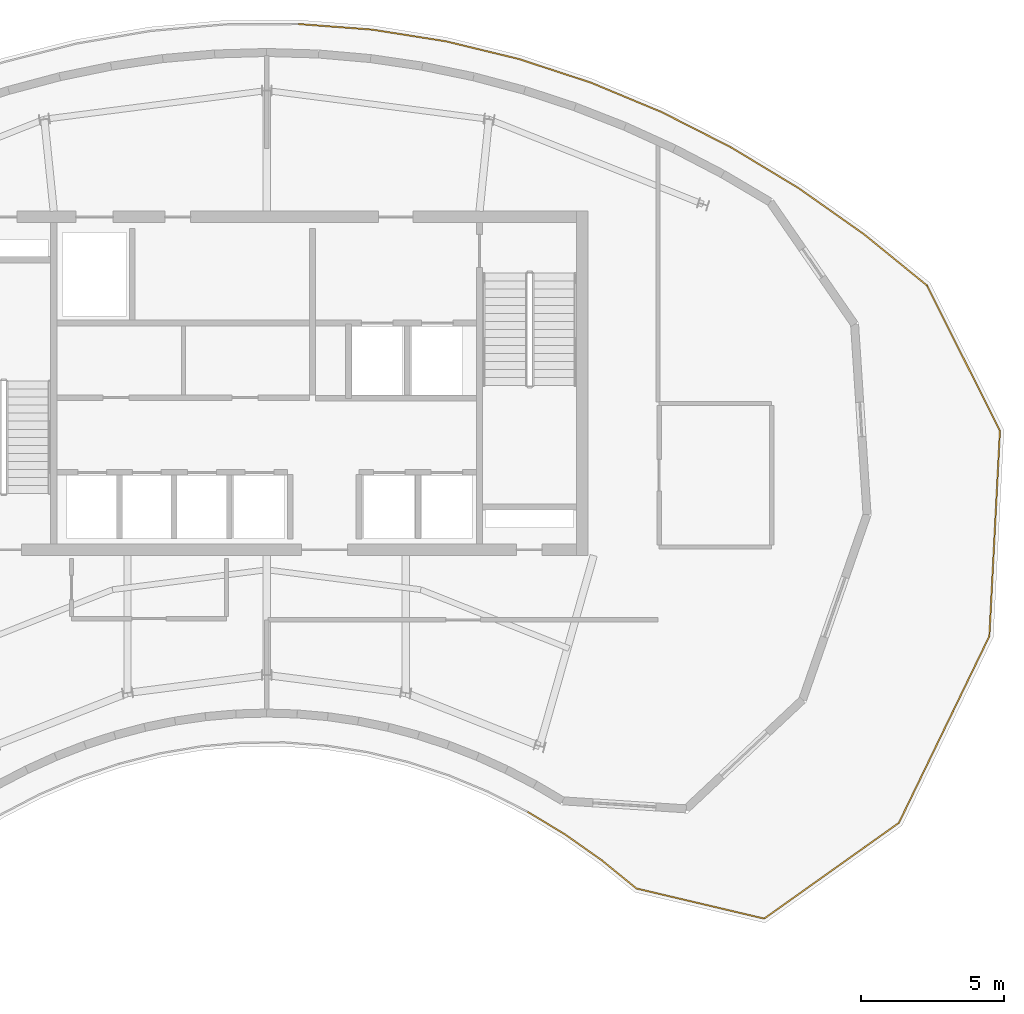
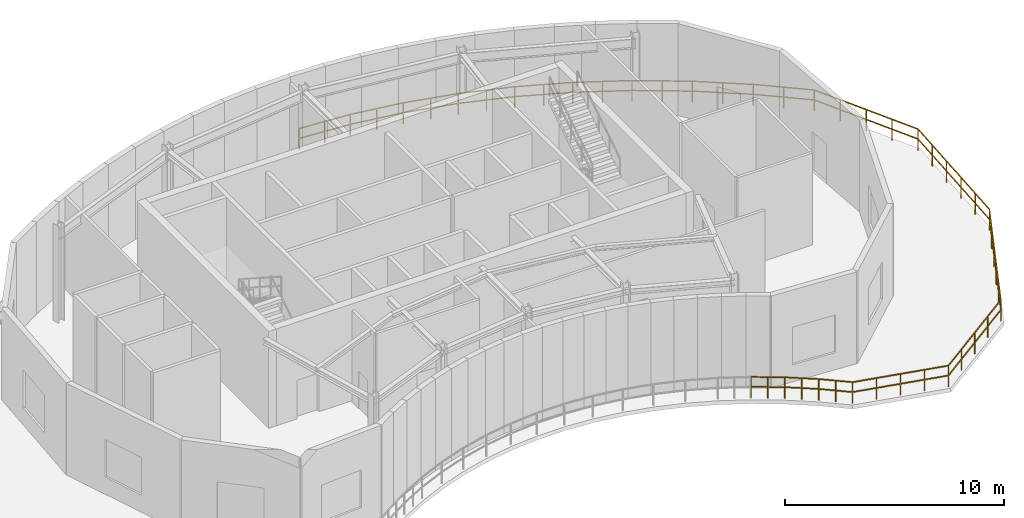
# One storey, part 8 of 8: 2 railings.
"""IFC4 building model written with IfcOpenShell, lengths in metres."""

from ifc_helpers import new_model, si_unit, direction, frame, origin, origin_2d, place, context, subcontext, project, spatial, rectangle, extrude, material, type_object, element, save


model = new_model("IFC4")

# Units and contexts
model_context = context("Model", 3, precision=1e-05, world=origin(), true_north=direction((0.0, 1.0)))
body_context = subcontext(model_context, "Body", "Model", "MODEL_VIEW")
ifc_project = project(units=[si_unit("LENGTHUNIT", "METRE"), si_unit("AREAUNIT", "SQUARE_METRE"), si_unit("VOLUMEUNIT", "CUBIC_METRE"), si_unit("PLANEANGLEUNIT", "RADIAN"), si_unit("MASSUNIT", "GRAM", prefix="KILO")], contexts=[model_context])

# Site, building, storey
site_placement = place(None, origin())
site = spatial("IfcSite", under=ifc_project, at=site_placement, CompositionType="ELEMENT")
building_placement = place(site_placement, origin())
building = spatial("IfcBuilding", under=site, at=building_placement, Name="Breltana Convention Tower", CompositionType="ELEMENT")
storey_placement = place(building_placement, frame((0.0, 0.0, 312.60009765625)))
storey = spatial("IfcBuildingStorey", under=building, at=storey_placement, Name="L76", CompositionType="ELEMENT", Elevation=312.60009765625)

# Railings
ifc_material = material(Name="Stainless Steel 316L", Category="steel")
railing_type = type_object("IfcRailingType", Name="RL-LOOKOUT-1200", PredefinedType="BALUSTRADE", material=ifc_material)
railing_1_placement = place(storey_placement, frame((71.00830078125, 69.616455078125, 0.0)))
element("IfcRailing", 1, at=railing_1_placement, inside=storey, type_object=railing_type, Name="L76 perimeter balustrade 1", PredefinedType="BALUSTRADE", context=body_context, shape_type="SweptSolid", body=[
    extrude(rectangle(XDim=0.048095703125, YDim=0.048095703125, at=origin_2d()), frame((0.0, 0.0, 1.17578125), z_axis=(0.449278247629, -0.893391882775, 0.0), x_axis=(0.893391882775, 0.449278247629, 0.0)), (0.0, 0.0, 1.0), 5.672607421875),
    extrude(rectangle(XDim=0.048095703125, YDim=0.048095703125, at=origin_2d()), frame((0.0, 0.0, 0.6240234375), z_axis=(0.449278247629, -0.893391882775, 0.0), x_axis=(0.893391882775, 0.449278247629, 0.0)), (0.0, 0.0, 1.0), 5.672607421875),
    extrude(rectangle(XDim=0.048095703125, YDim=0.048095703125, at=origin_2d()), frame((2.548583984375, -5.06787109375, 1.17578125), z_axis=(-0.051452488921, -0.998675443467, 0.0), x_axis=(0.998675443467, -0.051452488921, 0.0)), (0.0, 0.0, 1.0), 7.169677734375),
    extrude(rectangle(XDim=0.048095703125, YDim=0.048095703125, at=origin_2d()), frame((2.548583984375, -5.06787109375, 0.6240234375), z_axis=(-0.051452488921, -0.998675443467, 0.0), x_axis=(0.998675443467, -0.051452488921, 0.0)), (0.0, 0.0, 1.0), 7.169677734375),
    extrude(rectangle(XDim=0.048095703125, YDim=0.048095703125, at=origin_2d()), frame((2.1796875, -12.22802734375, 1.17578125), z_axis=(-0.43610281696, -0.899896845777, 0.0), x_axis=(0.899896845777, -0.43610281696, 0.0)), (0.0, 0.0, 1.0), 7.2294921875),
    extrude(rectangle(XDim=0.048095703125, YDim=0.048095703125, at=origin_2d()), frame((2.1796875, -12.22802734375, 0.6240234375), z_axis=(-0.43610281696, -0.899896845777, 0.0), x_axis=(0.899896845777, -0.43610281696, 0.0)), (0.0, 0.0, 1.0), 7.2294921875),
    extrude(rectangle(XDim=0.048095703125, YDim=0.048095703125, at=origin_2d()), frame((-0.97314453125, -18.73388671875, 1.17578125), z_axis=(-0.815031843045, -0.579416167208, 0.0), x_axis=(0.579416167208, -0.815031843045, 0.0)), (0.0, 0.0, 1.0), 5.759033203125),
    extrude(rectangle(XDim=0.048095703125, YDim=0.048095703125, at=origin_2d()), frame((-0.97314453125, -18.73388671875, 0.6240234375), z_axis=(-0.815031843045, -0.579416167208, 0.0), x_axis=(0.579416167208, -0.815031843045, 0.0)), (0.0, 0.0, 1.0), 5.759033203125),
    extrude(rectangle(XDim=0.048095703125, YDim=0.048095703125, at=origin_2d()), frame((-5.6669921875, -22.07080078125, 1.17578125), z_axis=(-0.973338002286, 0.229375529002, 0.0), x_axis=(-0.229375529002, -0.973338002286, 0.0)), (0.0, 0.0, 1.0), 4.573486328125),
    extrude(rectangle(XDim=0.048095703125, YDim=0.048095703125, at=origin_2d()), frame((-5.6669921875, -22.07080078125, 0.6240234375), z_axis=(-0.973338002286, 0.229375529002, 0.0), x_axis=(-0.229375529002, -0.973338002286, 0.0)), (0.0, 0.0, 1.0), 4.573486328125),
    extrude(rectangle(XDim=0.048095703125, YDim=0.048095703125, at=origin_2d()), frame((-10.11865234375, -21.021728515625, 1.17578125), z_axis=(-0.775859062465, 0.630906264979, 0.0), x_axis=(-0.630906264979, -0.775859062465, 0.0)), (0.0, 0.0, 1.0), 1.552978515625),
    extrude(rectangle(XDim=0.048095703125, YDim=0.048095703125, at=origin_2d()), frame((-10.11865234375, -21.021728515625, 0.6240234375), z_axis=(-0.775859062465, 0.630906264979, 0.0), x_axis=(-0.630906264979, -0.775859062465, 0.0)), (0.0, 0.0, 1.0), 1.552978515625),
    extrude(rectangle(XDim=0.048095703125, YDim=0.048095703125, at=origin_2d()), frame((-11.323486328125, -20.0419921875, 1.17578125), z_axis=(-0.803098028234, 0.595846924173, 0.0), x_axis=(-0.595846924173, -0.803098028234, 0.0)), (0.0, 0.0, 1.0), 0.009521484375),
    extrude(rectangle(XDim=0.048095703125, YDim=0.048095703125, at=origin_2d()), frame((-11.323486328125, -20.0419921875, 0.6240234375), z_axis=(-0.803098028234, 0.595846924173, 0.0), x_axis=(-0.595846924173, -0.803098028234, 0.0)), (0.0, 0.0, 1.0), 0.009521484375),
    extrude(rectangle(XDim=0.048095703125, YDim=0.048095703125, at=origin_2d()), frame((-11.3310546875, -20.036376953125, 1.17578125), z_axis=(-0.817297883171, 0.57621538522, 0.0), x_axis=(-0.57621538522, -0.817297883171, 0.0)), (0.0, 0.0, 1.0), 1.5576171875),
    extrude(rectangle(XDim=0.048095703125, YDim=0.048095703125, at=origin_2d()), frame((-11.3310546875, -20.036376953125, 0.6240234375), z_axis=(-0.817297883171, 0.57621538522, 0.0), x_axis=(-0.57621538522, -0.817297883171, 0.0)), (0.0, 0.0, 1.0), 1.5576171875),
    extrude(rectangle(XDim=0.048095703125, YDim=0.048095703125, at=origin_2d()), frame((-12.60400390625, -19.138916015625, 1.17578125), z_axis=(-0.828283413128, 0.560309367704, 0.0), x_axis=(-0.560309367704, -0.828283413128, 0.0)), (0.0, 0.0, 1.0), 0.010009765625),
    extrude(rectangle(XDim=0.048095703125, YDim=0.048095703125, at=origin_2d()), frame((-12.60400390625, -19.138916015625, 0.6240234375), z_axis=(-0.828283413128, 0.560309367704, 0.0), x_axis=(-0.560309367704, -0.828283413128, 0.0)), (0.0, 0.0, 1.0), 0.010009765625),
    extrude(rectangle(XDim=0.048095703125, YDim=0.048095703125, at=origin_2d()), frame((-12.6123046875, -19.13330078125, 1.17578125), z_axis=(-0.856055130717, 0.516884525957, 0.0), x_axis=(-0.516884525957, -0.856055130717, 0.0)), (0.0, 0.0, 1.0), 1.53173828125),
    extrude(rectangle(XDim=0.048095703125, YDim=0.048095703125, at=origin_2d()), frame((-12.6123046875, -19.13330078125, 0.6240234375), z_axis=(-0.856055130717, 0.516884525957, 0.0), x_axis=(-0.516884525957, -0.856055130717, 0.0)), (0.0, 0.0, 1.0), 1.53173828125),
    extrude(rectangle(XDim=0.0419921875, YDim=0.0419921875, at=origin_2d()), origin(), (0.0, 0.0, 1.0), 1.15185546875),
    extrude(rectangle(XDim=0.0419921875, YDim=0.0419921875, at=origin_2d()), frame((0.63720703125, -1.26708984375, 0.0)), (0.0, 0.0, 1.0), 1.15185546875),
    extrude(rectangle(XDim=0.0419921875, YDim=0.0419921875, at=origin_2d()), frame((1.2744140625, -2.533935546875, 0.0)), (0.0, 0.0, 1.0), 1.15185546875),
    extrude(rectangle(XDim=0.0419921875, YDim=0.0419921875, at=origin_2d()), frame((1.911376953125, -3.80078125, 0.0)), (0.0, 0.0, 1.0), 1.15185546875),
    extrude(rectangle(XDim=0.0419921875, YDim=0.0419921875, at=origin_2d()), frame((2.548583984375, -5.06787109375, 0.0)), (0.0, 0.0, 1.0), 1.15185546875),
    extrude(rectangle(XDim=0.0419921875, YDim=0.0419921875, at=origin_2d()), frame((2.474853515625, -6.5, 0.0)), (0.0, 0.0, 1.0), 1.15185546875),
    extrude(rectangle(XDim=0.0419921875, YDim=0.0419921875, at=origin_2d()), frame((2.401123046875, -7.931884765625, 0.0)), (0.0, 0.0, 1.0), 1.15185546875),
    extrude(rectangle(XDim=0.0419921875, YDim=0.0419921875, at=origin_2d()), frame((2.3271484375, -9.364013671875, 0.0)), (0.0, 0.0, 1.0), 1.15185546875),
    extrude(rectangle(XDim=0.0419921875, YDim=0.0419921875, at=origin_2d()), frame((2.25341796875, -10.7958984375, 0.0)), (0.0, 0.0, 1.0), 1.15185546875),
    extrude(rectangle(XDim=0.0419921875, YDim=0.0419921875, at=origin_2d()), frame((2.1796875, -12.22802734375, 0.0)), (0.0, 0.0, 1.0), 1.15185546875),
    extrude(rectangle(XDim=0.0419921875, YDim=0.0419921875, at=origin_2d()), frame((1.549072265625, -13.529296875, 0.0)), (0.0, 0.0, 1.0), 1.15185546875),
    extrude(rectangle(XDim=0.0419921875, YDim=0.0419921875, at=origin_2d()), frame((0.91845703125, -14.830322265625, 0.0)), (0.0, 0.0, 1.0), 1.15185546875),
    extrude(rectangle(XDim=0.0419921875, YDim=0.0419921875, at=origin_2d()), frame((0.2880859375, -16.131591796875, 0.0)), (0.0, 0.0, 1.0), 1.15185546875),
    extrude(rectangle(XDim=0.0419921875, YDim=0.0419921875, at=origin_2d()), frame((-0.342529296875, -17.4326171875, 0.0)), (0.0, 0.0, 1.0), 1.15185546875),
    extrude(rectangle(XDim=0.0419921875, YDim=0.0419921875, at=origin_2d()), frame((-0.97314453125, -18.73388671875, 0.0)), (0.0, 0.0, 1.0), 1.15185546875),
    extrude(rectangle(XDim=0.0419921875, YDim=0.0419921875, at=origin_2d()), frame((-2.146484375, -19.568115234375, 0.0)), (0.0, 0.0, 1.0), 1.15185546875),
    extrude(rectangle(XDim=0.0419921875, YDim=0.0419921875, at=origin_2d()), frame((-3.320068359375, -20.40234375, 0.0)), (0.0, 0.0, 1.0), 1.15185546875),
    extrude(rectangle(XDim=0.0419921875, YDim=0.0419921875, at=origin_2d()), frame((-4.49365234375, -21.236572265625, 0.0)), (0.0, 0.0, 1.0), 1.15185546875),
    extrude(rectangle(XDim=0.0419921875, YDim=0.0419921875, at=origin_2d()), frame((-5.6669921875, -22.07080078125, 0.0)), (0.0, 0.0, 1.0), 1.15185546875),
    extrude(rectangle(XDim=0.0419921875, YDim=0.0419921875, at=origin_2d()), frame((-6.77978515625, -21.80859375, 0.0)), (0.0, 0.0, 1.0), 1.15185546875),
    extrude(rectangle(XDim=0.0419921875, YDim=0.0419921875, at=origin_2d()), frame((-7.892822265625, -21.54638671875, 0.0)), (0.0, 0.0, 1.0), 1.15185546875),
    extrude(rectangle(XDim=0.0419921875, YDim=0.0419921875, at=origin_2d()), frame((-9.005859375, -21.283935546875, 0.0)), (0.0, 0.0, 1.0), 1.15185546875),
    extrude(rectangle(XDim=0.0419921875, YDim=0.0419921875, at=origin_2d()), frame((-10.11865234375, -21.021728515625, 0.0)), (0.0, 0.0, 1.0), 1.15185546875),
    extrude(rectangle(XDim=0.0419921875, YDim=0.0419921875, at=origin_2d()), frame((-10.72119140625, -20.53173828125, 0.0)), (0.0, 0.0, 1.0), 1.15185546875),
    extrude(rectangle(XDim=0.0419921875, YDim=0.0419921875, at=origin_2d()), frame((-11.323486328125, -20.0419921875, 0.0)), (0.0, 0.0, 1.0), 1.15185546875),
    extrude(rectangle(XDim=0.0419921875, YDim=0.0419921875, at=origin_2d()), frame((-11.3310546875, -20.036376953125, 0.0)), (0.0, 0.0, 1.0), 1.15185546875),
    extrude(rectangle(XDim=0.0419921875, YDim=0.0419921875, at=origin_2d()), frame((-11.967529296875, -19.587646484375, 0.0)), (0.0, 0.0, 1.0), 1.15185546875),
    extrude(rectangle(XDim=0.0419921875, YDim=0.0419921875, at=origin_2d()), frame((-12.60400390625, -19.138916015625, 0.0)), (0.0, 0.0, 1.0), 1.15185546875),
    extrude(rectangle(XDim=0.0419921875, YDim=0.0419921875, at=origin_2d()), frame((-12.6123046875, -19.13330078125, 0.0)), (0.0, 0.0, 1.0), 1.15185546875),
    extrude(rectangle(XDim=0.0419921875, YDim=0.0419921875, at=origin_2d()), frame((-13.26806640625, -18.7373046875, 0.0)), (0.0, 0.0, 1.0), 1.15185546875),
    extrude(rectangle(XDim=0.0419921875, YDim=0.0419921875, at=origin_2d()), frame((-13.923583984375, -18.341552734375, 0.0)), (0.0, 0.0, 1.0), 1.15185546875),
])
railing_2_placement = place(storey_placement, frame((49.106201171875, 78.723388671875, 0.0)))
element("IfcRailing", 2, at=railing_2_placement, inside=storey, type_object=railing_type, Name="L76 perimeter balustrade 7", PredefinedType="BALUSTRADE", context=body_context, shape_type="SweptSolid", body=[
    extrude(rectangle(XDim=0.048095703125, YDim=0.048095703125, at=origin_2d()), frame((0.0, 0.0, 1.17578125), z_axis=(0.997119681374, -0.075844189082, 0.0), x_axis=(0.075844189082, 0.997119681374, 0.0)), (0.0, 0.0, 1.0), 2.584716796875),
    extrude(rectangle(XDim=0.048095703125, YDim=0.048095703125, at=origin_2d()), frame((0.0, 0.0, 0.6240234375), z_axis=(0.997119681374, -0.075844189082, 0.0), x_axis=(0.075844189082, 0.997119681374, 0.0)), (0.0, 0.0, 1.0), 2.584716796875),
    extrude(rectangle(XDim=0.048095703125, YDim=0.048095703125, at=origin_2d()), frame((2.577392578125, -0.196044921875, 1.17578125), z_axis=(0.987659789415, -0.15661462375, 0.0), x_axis=(0.15661462375, 0.987659789415, 0.0)), (0.0, 0.0, 1.0), 2.595458984375),
    extrude(rectangle(XDim=0.048095703125, YDim=0.048095703125, at=origin_2d()), frame((2.577392578125, -0.196044921875, 0.6240234375), z_axis=(0.987659789415, -0.15661462375, 0.0), x_axis=(0.15661462375, 0.987659789415, 0.0)), (0.0, 0.0, 1.0), 2.595458984375),
    extrude(rectangle(XDim=0.048095703125, YDim=0.048095703125, at=origin_2d()), frame((5.140869140625, -0.6025390625, 1.17578125), z_axis=(0.971864360156, -0.235541218173, 0.0), x_axis=(0.235541218173, 0.971864360156, 0.0)), (0.0, 0.0, 1.0), 2.614013671875),
    extrude(rectangle(XDim=0.048095703125, YDim=0.048095703125, at=origin_2d()), frame((5.140869140625, -0.6025390625, 0.6240234375), z_axis=(0.971864360156, -0.235541218173, 0.0), x_axis=(0.235541218173, 0.971864360156, 0.0)), (0.0, 0.0, 1.0), 2.614013671875),
    extrude(rectangle(XDim=0.048095703125, YDim=0.048095703125, at=origin_2d()), frame((7.681396484375, -1.21826171875, 1.17578125), z_axis=(0.9502259493, -0.311561623563, 0.0), x_axis=(0.311561623563, 0.9502259493, 0.0)), (0.0, 0.0, 1.0), 2.63916015625),
    extrude(rectangle(XDim=0.048095703125, YDim=0.048095703125, at=origin_2d()), frame((7.681396484375, -1.21826171875, 0.6240234375), z_axis=(0.9502259493, -0.311561623563, 0.0), x_axis=(0.311561623563, 0.9502259493, 0.0)), (0.0, 0.0, 1.0), 2.63916015625),
    extrude(rectangle(XDim=0.048095703125, YDim=0.048095703125, at=origin_2d()), frame((10.189208984375, -2.04052734375, 1.17578125), z_axis=(0.923276894716, -0.384135100821, 0.0), x_axis=(0.384135100821, 0.923276894716, 0.0)), (0.0, 0.0, 1.0), 2.671142578125),
    extrude(rectangle(XDim=0.048095703125, YDim=0.048095703125, at=origin_2d()), frame((10.189208984375, -2.04052734375, 0.6240234375), z_axis=(0.923276894716, -0.384135100821, 0.0), x_axis=(0.384135100821, 0.923276894716, 0.0)), (0.0, 0.0, 1.0), 2.671142578125),
    extrude(rectangle(XDim=0.048095703125, YDim=0.048095703125, at=origin_2d()), frame((12.655517578125, -3.066650390625, 1.17578125), z_axis=(0.891652216444, -0.452721023269, 0.0), x_axis=(0.452721023269, 0.891652216444, 0.0)), (0.0, 0.0, 1.0), 2.708740234375),
    extrude(rectangle(XDim=0.048095703125, YDim=0.048095703125, at=origin_2d()), frame((12.655517578125, -3.066650390625, 0.6240234375), z_axis=(0.891652216444, -0.452721023269, 0.0), x_axis=(0.452721023269, 0.891652216444, 0.0)), (0.0, 0.0, 1.0), 2.708740234375),
    extrude(rectangle(XDim=0.048095703125, YDim=0.048095703125, at=origin_2d()), frame((15.07080078125, -4.29296875, 1.17578125), z_axis=(0.856127415086, -0.516764790924, 0.0), x_axis=(0.516764790924, 0.856127415086, 0.0)), (0.0, 0.0, 1.0), 2.7509765625),
    extrude(rectangle(XDim=0.048095703125, YDim=0.048095703125, at=origin_2d()), frame((15.07080078125, -4.29296875, 0.6240234375), z_axis=(0.856127415086, -0.516764790924, 0.0), x_axis=(0.516764790924, 0.856127415086, 0.0)), (0.0, 0.0, 1.0), 2.7509765625),
    extrude(rectangle(XDim=0.048095703125, YDim=0.048095703125, at=origin_2d()), frame((17.426025390625, -5.714599609375, 1.17578125), z_axis=(0.817308712639, -0.576200024509, 0.0), x_axis=(0.576200024509, 0.817308712639, 0.0)), (0.0, 0.0, 1.0), 2.7978515625),
    extrude(rectangle(XDim=0.048095703125, YDim=0.048095703125, at=origin_2d()), frame((17.426025390625, -5.714599609375, 0.6240234375), z_axis=(0.817308712639, -0.576200024509, 0.0), x_axis=(0.576200024509, 0.817308712639, 0.0)), (0.0, 0.0, 1.0), 2.7978515625),
    extrude(rectangle(XDim=0.048095703125, YDim=0.048095703125, at=origin_2d()), frame((19.712646484375, -7.32666015625, 1.17578125), z_axis=(0.775881064801, -0.630879206571, 0.0), x_axis=(0.630879206571, 0.775881064801, 0.0)), (0.0, 0.0, 1.0), 2.82177734375),
    extrude(rectangle(XDim=0.048095703125, YDim=0.048095703125, at=origin_2d()), frame((19.712646484375, -7.32666015625, 0.6240234375), z_axis=(0.775881064801, -0.630879206571, 0.0), x_axis=(0.630879206571, 0.775881064801, 0.0)), (0.0, 0.0, 1.0), 2.82177734375),
    extrude(rectangle(XDim=0.0419921875, YDim=0.0419921875, at=origin_2d()), origin(), (0.0, 0.0, 1.0), 1.15185546875),
    extrude(rectangle(XDim=0.0419921875, YDim=0.0419921875, at=origin_2d()), frame((1.28857421875, -0.09814453125, 0.0)), (0.0, 0.0, 1.0), 1.15185546875),
    extrude(rectangle(XDim=0.0419921875, YDim=0.0419921875, at=origin_2d()), frame((2.577392578125, -0.196044921875, 0.0)), (0.0, 0.0, 1.0), 1.15185546875),
    extrude(rectangle(XDim=0.0419921875, YDim=0.0419921875, at=origin_2d()), frame((3.859130859375, -0.3994140625, 0.0)), (0.0, 0.0, 1.0), 1.15185546875),
    extrude(rectangle(XDim=0.0419921875, YDim=0.0419921875, at=origin_2d()), frame((5.140869140625, -0.6025390625, 0.0)), (0.0, 0.0, 1.0), 1.15185546875),
    extrude(rectangle(XDim=0.0419921875, YDim=0.0419921875, at=origin_2d()), frame((6.4111328125, -0.910400390625, 0.0)), (0.0, 0.0, 1.0), 1.15185546875),
    extrude(rectangle(XDim=0.0419921875, YDim=0.0419921875, at=origin_2d()), frame((7.681396484375, -1.21826171875, 0.0)), (0.0, 0.0, 1.0), 1.15185546875),
    extrude(rectangle(XDim=0.0419921875, YDim=0.0419921875, at=origin_2d()), frame((8.935302734375, -1.62939453125, 0.0)), (0.0, 0.0, 1.0), 1.15185546875),
    extrude(rectangle(XDim=0.0419921875, YDim=0.0419921875, at=origin_2d()), frame((10.189208984375, -2.04052734375, 0.0)), (0.0, 0.0, 1.0), 1.15185546875),
    extrude(rectangle(XDim=0.0419921875, YDim=0.0419921875, at=origin_2d()), frame((11.42236328125, -2.5537109375, 0.0)), (0.0, 0.0, 1.0), 1.15185546875),
    extrude(rectangle(XDim=0.0419921875, YDim=0.0419921875, at=origin_2d()), frame((12.655517578125, -3.066650390625, 0.0)), (0.0, 0.0, 1.0), 1.15185546875),
    extrude(rectangle(XDim=0.0419921875, YDim=0.0419921875, at=origin_2d()), frame((13.86328125, -3.6796875, 0.0)), (0.0, 0.0, 1.0), 1.15185546875),
    extrude(rectangle(XDim=0.0419921875, YDim=0.0419921875, at=origin_2d()), frame((15.07080078125, -4.29296875, 0.0)), (0.0, 0.0, 1.0), 1.15185546875),
    extrude(rectangle(XDim=0.0419921875, YDim=0.0419921875, at=origin_2d()), frame((16.24853515625, -5.00390625, 0.0)), (0.0, 0.0, 1.0), 1.15185546875),
    extrude(rectangle(XDim=0.0419921875, YDim=0.0419921875, at=origin_2d()), frame((17.426025390625, -5.714599609375, 0.0)), (0.0, 0.0, 1.0), 1.15185546875),
    extrude(rectangle(XDim=0.0419921875, YDim=0.0419921875, at=origin_2d()), frame((18.5693359375, -6.5205078125, 0.0)), (0.0, 0.0, 1.0), 1.15185546875),
    extrude(rectangle(XDim=0.0419921875, YDim=0.0419921875, at=origin_2d()), frame((19.712646484375, -7.32666015625, 0.0)), (0.0, 0.0, 1.0), 1.15185546875),
    extrude(rectangle(XDim=0.0419921875, YDim=0.0419921875, at=origin_2d()), frame((20.807373046875, -8.216796875, 0.0)), (0.0, 0.0, 1.0), 1.15185546875),
    extrude(rectangle(XDim=0.0419921875, YDim=0.0419921875, at=origin_2d()), frame((21.902099609375, -9.10693359375, 0.0)), (0.0, 0.0, 1.0), 1.15185546875),
])

save(model, "model.ifc")
